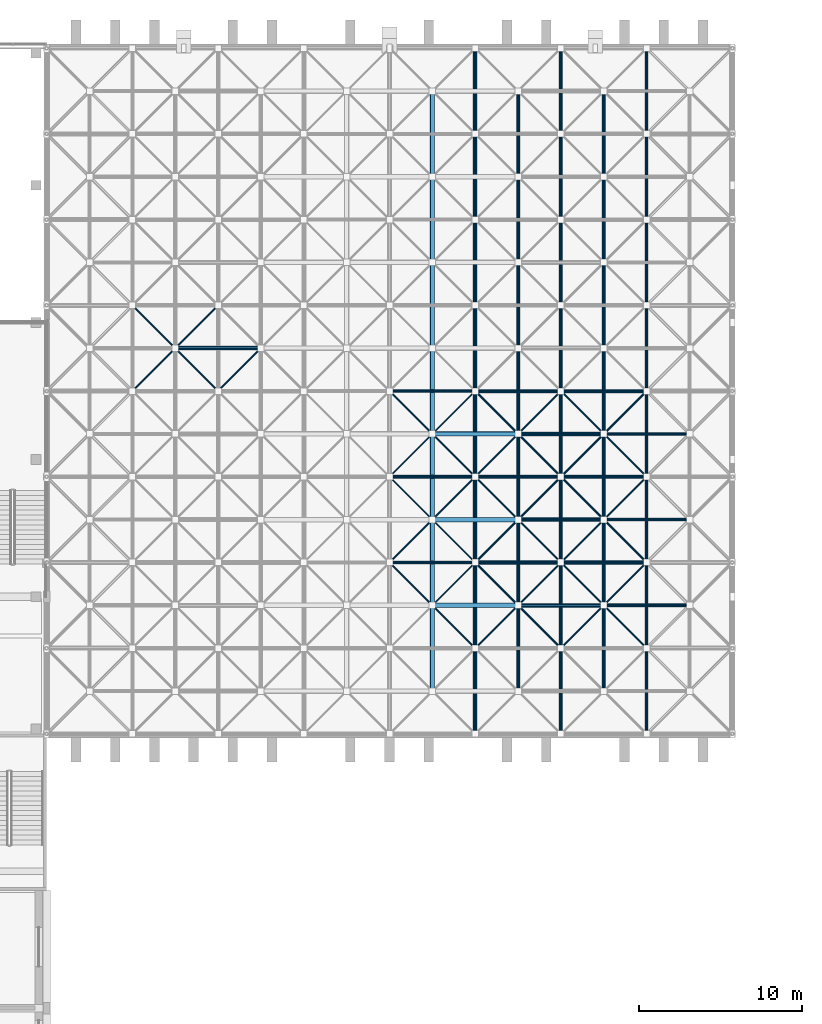
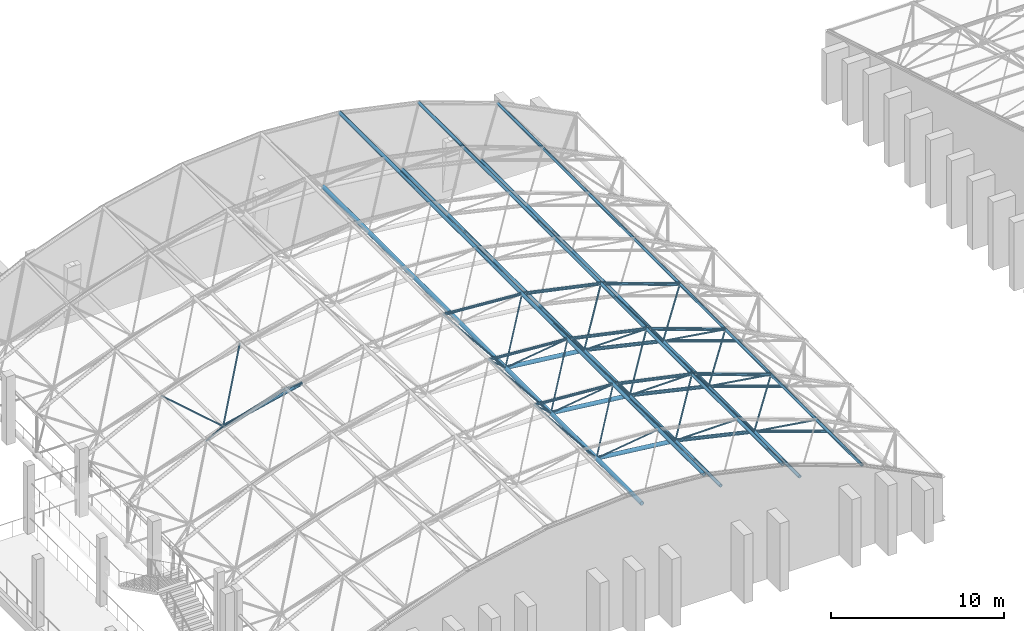
# One storey, part 18 of 100: 65 members.
"""IFC4 building model written with IfcOpenShell, lengths in metres."""

from ifc_helpers import new_model, si_unit, direction, frame, origin, origin_2d, place, context, subcontext, project, spatial, hollow_circle, extrude, material, material_profile, profile_set, type_object, element, save


model = new_model("IFC4")

# Units and contexts
model_context = context("Model", 3, precision=1e-05, world=origin(), true_north=direction((0.0, 1.0)))
body_context = subcontext(model_context, "Body", "Model", "MODEL_VIEW")
ifc_project = project(units=[si_unit("LENGTHUNIT", "METRE"), si_unit("AREAUNIT", "SQUARE_METRE"), si_unit("VOLUMEUNIT", "CUBIC_METRE"), si_unit("PLANEANGLEUNIT", "RADIAN"), si_unit("MASSUNIT", "GRAM", prefix="KILO")], contexts=[model_context])

# Site, building, storey
site_placement = place(None, origin())
site = spatial("IfcSite", under=ifc_project, at=site_placement, CompositionType="ELEMENT")
building_placement = place(site_placement, origin())
building = spatial("IfcBuilding", under=site, at=building_placement, Name="Kiln Court Media Centre", CompositionType="ELEMENT")
storey_placement = place(building_placement, frame((0.0, 0.0, 15.0)))
storey = spatial("IfcBuildingStorey", under=building, at=storey_placement, Name="L03", CompositionType="ELEMENT", Elevation=15.0)

# Members
ifc_material_1 = material(Name="Steel ASTM A500 Gr C", Category="steel")
ifc_material_profile_1 = material_profile(ifc_material_1, hollow_circle(Radius=0.05078125, WallThickness=0.0048828125, at=origin_2d()), Name="CHS 101.6x5.0")
ifc_profile_set_1 = profile_set([ifc_material_profile_1], Name="Steel ASTM A500 Gr C")
member_type_1 = type_object("IfcMemberType", Name="Steel ASTM A500 Gr C CHS 101.6x5.0 space frame brace", PredefinedType="BRACE", material=ifc_profile_set_1)
member_1_placement = place(storey_placement, frame((82.425048828125, 33.074951171875, 5.926513671875), z_axis=(0.571963592053, -0.571963592053, 0.587975593653), x_axis=(0.707106781187, 0.707106781187, 0.0)))
element("IfcMember", 1, at=member_1_placement, inside=storey, type_object=member_type_1, Name="V1 roof diagonal 5-2 space frame brace", PredefinedType="BRACE", context=body_context, shape_type="SweptSolid", body=[
    extrude(hollow_circle(Radius=0.05078125, WallThickness=0.0048828125, at=origin_2d()), origin(), (0.0, 0.0, 1.0), 4.58935546875),
])
member_2_placement = place(storey_placement, frame((82.425048828125, 33.074951171875, 5.926513671875), z_axis=(-0.544662450541, 0.544662450541, 0.637719083878), x_axis=(-0.707106781187, -0.707106781187, 0.0)))
element("IfcMember", 2, at=member_2_placement, inside=storey, type_object=member_type_1, Name="V1 roof diagonal 5-2 space frame brace", PredefinedType="BRACE", context=body_context, shape_type="SweptSolid", body=[
    extrude(hollow_circle(Radius=0.05078125, WallThickness=0.0048828125, at=origin_2d()), origin(), (0.0, 0.0, 1.0), 4.819580078125),
])
member_3_placement = place(storey_placement, frame((82.425048828125, 33.074951171875, 5.926513671875), z_axis=(0.571963592053, 0.571963592053, 0.587975593653), x_axis=(-0.707106781187, 0.707106781187, 0.0)))
element("IfcMember", 3, at=member_3_placement, inside=storey, type_object=member_type_1, Name="V1 roof diagonal 5-2 space frame brace", PredefinedType="BRACE", context=body_context, shape_type="SweptSolid", body=[
    extrude(hollow_circle(Radius=0.05078125, WallThickness=0.0048828125, at=origin_2d()), origin(), (0.0, 0.0, 1.0), 4.58935546875),
])
member_4_placement = place(storey_placement, frame((82.425048828125, 38.324951171875, 5.926513671875), z_axis=(-0.544662450541, -0.544662450541, 0.637719083878), x_axis=(0.707106781187, -0.707106781187, 0.0)))
element("IfcMember", 4, at=member_4_placement, inside=storey, type_object=member_type_1, Name="V1 roof diagonal 5-3 space frame brace", PredefinedType="BRACE", context=body_context, shape_type="SweptSolid", body=[
    extrude(hollow_circle(Radius=0.05078125, WallThickness=0.0048828125, at=origin_2d()), origin(), (0.0, 0.0, 1.0), 4.819580078125),
])
member_5_placement = place(storey_placement, frame((82.425048828125, 38.324951171875, 5.926513671875), z_axis=(0.571963592053, -0.571963592053, 0.587975593653), x_axis=(0.707106781187, 0.707106781187, 0.0)))
element("IfcMember", 5, at=member_5_placement, inside=storey, type_object=member_type_1, Name="V1 roof diagonal 5-3 space frame brace", PredefinedType="BRACE", context=body_context, shape_type="SweptSolid", body=[
    extrude(hollow_circle(Radius=0.05078125, WallThickness=0.0048828125, at=origin_2d()), origin(), (0.0, 0.0, 1.0), 4.58935546875),
])
member_6_placement = place(storey_placement, frame((82.425048828125, 38.324951171875, 5.926513671875), z_axis=(-0.544662450541, 0.544662450541, 0.637719083878), x_axis=(-0.707106781187, -0.707106781187, 0.0)))
element("IfcMember", 6, at=member_6_placement, inside=storey, type_object=member_type_1, Name="V1 roof diagonal 5-3 space frame brace", PredefinedType="BRACE", context=body_context, shape_type="SweptSolid", body=[
    extrude(hollow_circle(Radius=0.05078125, WallThickness=0.0048828125, at=origin_2d()), origin(), (0.0, 0.0, 1.0), 4.819580078125),
])
member_7_placement = place(storey_placement, frame((82.425048828125, 38.324951171875, 5.926513671875), z_axis=(0.571963592053, 0.571963592053, 0.587975593653), x_axis=(-0.707106781187, 0.707106781187, 0.0)))
element("IfcMember", 7, at=member_7_placement, inside=storey, type_object=member_type_1, Name="V1 roof diagonal 5-3 space frame brace", PredefinedType="BRACE", context=body_context, shape_type="SweptSolid", body=[
    extrude(hollow_circle(Radius=0.05078125, WallThickness=0.0048828125, at=origin_2d()), origin(), (0.0, 0.0, 1.0), 4.58935546875),
])
member_8_placement = place(storey_placement, frame((82.425048828125, 43.574951171875, 5.926513671875), z_axis=(-0.544662450541, -0.544662450541, 0.637719083878), x_axis=(0.707106781187, -0.707106781187, 0.0)))
element("IfcMember", 8, at=member_8_placement, inside=storey, type_object=member_type_1, Name="V1 roof diagonal 5-4 space frame brace", PredefinedType="BRACE", context=body_context, shape_type="SweptSolid", body=[
    extrude(hollow_circle(Radius=0.05078125, WallThickness=0.0048828125, at=origin_2d()), origin(), (0.0, 0.0, 1.0), 4.819580078125),
])
member_9_placement = place(storey_placement, frame((82.425048828125, 43.574951171875, 5.926513671875), z_axis=(0.571963592053, -0.571963592053, 0.587975593653), x_axis=(0.707106781187, 0.707106781187, 0.0)))
element("IfcMember", 9, at=member_9_placement, inside=storey, type_object=member_type_1, Name="V1 roof diagonal 5-4 space frame brace", PredefinedType="BRACE", context=body_context, shape_type="SweptSolid", body=[
    extrude(hollow_circle(Radius=0.05078125, WallThickness=0.0048828125, at=origin_2d()), origin(), (0.0, 0.0, 1.0), 4.58935546875),
])
member_10_placement = place(storey_placement, frame((82.425048828125, 43.574951171875, 5.926513671875), z_axis=(-0.544662450541, 0.544662450541, 0.637719083878), x_axis=(-0.707106781187, -0.707106781187, 0.0)))
element("IfcMember", 10, at=member_10_placement, inside=storey, type_object=member_type_1, Name="V1 roof diagonal 5-4 space frame brace", PredefinedType="BRACE", context=body_context, shape_type="SweptSolid", body=[
    extrude(hollow_circle(Radius=0.05078125, WallThickness=0.0048828125, at=origin_2d()), origin(), (0.0, 0.0, 1.0), 4.819580078125),
])
member_11_placement = place(storey_placement, frame((82.425048828125, 43.574951171875, 5.926513671875), z_axis=(0.571963592053, 0.571963592053, 0.587975593653), x_axis=(-0.707106781187, 0.707106781187, 0.0)))
element("IfcMember", 11, at=member_11_placement, inside=storey, type_object=member_type_1, Name="V1 roof diagonal 5-4 space frame brace", PredefinedType="BRACE", context=body_context, shape_type="SweptSolid", body=[
    extrude(hollow_circle(Radius=0.05078125, WallThickness=0.0048828125, at=origin_2d()), origin(), (0.0, 0.0, 1.0), 4.58935546875),
])
ifc_material_2 = material(Name="Steel ASTM A500 Gr C", Category="steel")
ifc_material_profile_2 = material_profile(ifc_material_2, hollow_circle(Radius=0.05712890625, WallThickness=0.0048828125, at=origin_2d()), Name="CHS 114.3x5.0")
ifc_profile_set_2 = profile_set([ifc_material_profile_2], Name="Steel ASTM A500 Gr C")
member_type_2 = type_object("IfcMemberType", Name="Steel ASTM A500 Gr C CHS 114.3x5.0 space frame brace", PredefinedType="BRACE", material=ifc_profile_set_2)
member_12_placement = place(storey_placement, frame((66.675048828125, 48.824951171875, 4.133544921875), z_axis=(-0.656133377529, -0.656133377529, 0.37279750775), x_axis=(0.707106781187, -0.707106781187, 0.0)))
element("IfcMember", 12, at=member_12_placement, inside=storey, type_object=member_type_2, Name="V1 roof diagonal 2-5 space frame brace", PredefinedType="BRACE", context=body_context, shape_type="SweptSolid", body=[
    extrude(hollow_circle(Radius=0.05712890625, WallThickness=0.0048828125, at=origin_2d()), origin(), (0.0, 0.0, 1.0), 4.000732421875),
])
member_13_placement = place(storey_placement, frame((66.675048828125, 48.824951171875, 4.133544921875), z_axis=(0.523804264708, -0.523804264708, 0.671757534046), x_axis=(0.707106781187, 0.707106781187, 0.0)))
element("IfcMember", 13, at=member_13_placement, inside=storey, type_object=member_type_2, Name="V1 roof diagonal 2-5 space frame brace", PredefinedType="BRACE", context=body_context, shape_type="SweptSolid", body=[
    extrude(hollow_circle(Radius=0.05712890625, WallThickness=0.0048828125, at=origin_2d()), origin(), (0.0, 0.0, 1.0), 5.011474609375),
])
member_14_placement = place(storey_placement, frame((66.675048828125, 48.824951171875, 4.133544921875), z_axis=(-0.656133377529, 0.656133377529, 0.37279750775), x_axis=(-0.707106781187, -0.707106781187, 0.0)))
element("IfcMember", 14, at=member_14_placement, inside=storey, type_object=member_type_2, Name="V1 roof diagonal 2-5 space frame brace", PredefinedType="BRACE", context=body_context, shape_type="SweptSolid", body=[
    extrude(hollow_circle(Radius=0.05712890625, WallThickness=0.0048828125, at=origin_2d()), origin(), (0.0, 0.0, 1.0), 4.000732421875),
])
member_15_placement = place(storey_placement, frame((66.675048828125, 48.824951171875, 4.133544921875), z_axis=(0.523804264708, 0.523804264708, 0.671757534046), x_axis=(-0.707106781187, 0.707106781187, 0.0)))
element("IfcMember", 15, at=member_15_placement, inside=storey, type_object=member_type_2, Name="V1 roof diagonal 2-5 space frame brace", PredefinedType="BRACE", context=body_context, shape_type="SweptSolid", body=[
    extrude(hollow_circle(Radius=0.05712890625, WallThickness=0.0048828125, at=origin_2d()), origin(), (0.0, 0.0, 1.0), 5.011474609375),
])
member_16_placement = place(storey_placement, frame((71.925048828125, 48.824951171875, 5.333984375), z_axis=(-0.61074803366, -0.61074803366, 0.503958012894), x_axis=(0.707106781187, -0.707106781187, 0.0)))
element("IfcMember", 16, at=member_16_placement, inside=storey, type_object=member_type_2, Name="V1 roof diagonal 3-5 space frame brace", PredefinedType="BRACE", context=body_context, shape_type="SweptSolid", body=[
    extrude(hollow_circle(Radius=0.05712890625, WallThickness=0.0048828125, at=origin_2d()), origin(), (0.0, 0.0, 1.0), 4.298095703125),
])
member_17_placement = place(storey_placement, frame((87.675048828125, 33.074951171875, 5.333984375), z_axis=(-0.529121679325, -0.529121679325, 0.663370557785), x_axis=(0.707106781187, -0.707106781187, 0.0)))
element("IfcMember", 17, at=member_17_placement, inside=storey, type_object=member_type_2, Name="V1 roof diagonal 6-2 space frame brace", PredefinedType="BRACE", context=body_context, shape_type="SweptSolid", body=[
    extrude(hollow_circle(Radius=0.05712890625, WallThickness=0.0048828125, at=origin_2d()), origin(), (0.0, 0.0, 1.0), 4.9609375),
])
member_18_placement = place(storey_placement, frame((87.675048828125, 33.074951171875, 5.333984375), z_axis=(0.61074803366, -0.61074803366, 0.503958012894), x_axis=(0.707106781187, 0.707106781187, 0.0)))
element("IfcMember", 18, at=member_18_placement, inside=storey, type_object=member_type_2, Name="V1 roof diagonal 6-2 space frame brace", PredefinedType="BRACE", context=body_context, shape_type="SweptSolid", body=[
    extrude(hollow_circle(Radius=0.05712890625, WallThickness=0.0048828125, at=origin_2d()), origin(), (0.0, 0.0, 1.0), 4.298095703125),
])
member_19_placement = place(storey_placement, frame((87.675048828125, 33.074951171875, 5.333984375), z_axis=(-0.529121679325, 0.529121679325, 0.663370557785), x_axis=(-0.707106781187, -0.707106781187, 0.0)))
element("IfcMember", 19, at=member_19_placement, inside=storey, type_object=member_type_2, Name="V1 roof diagonal 6-2 space frame brace", PredefinedType="BRACE", context=body_context, shape_type="SweptSolid", body=[
    extrude(hollow_circle(Radius=0.05712890625, WallThickness=0.0048828125, at=origin_2d()), origin(), (0.0, 0.0, 1.0), 4.9609375),
])
member_20_placement = place(storey_placement, frame((87.675048828125, 33.074951171875, 5.333984375), z_axis=(0.61074803366, 0.61074803366, 0.503958012894), x_axis=(-0.707106781187, 0.707106781187, 0.0)))
element("IfcMember", 20, at=member_20_placement, inside=storey, type_object=member_type_2, Name="V1 roof diagonal 6-2 space frame brace", PredefinedType="BRACE", context=body_context, shape_type="SweptSolid", body=[
    extrude(hollow_circle(Radius=0.05712890625, WallThickness=0.0048828125, at=origin_2d()), origin(), (0.0, 0.0, 1.0), 4.298095703125),
])
member_21_placement = place(storey_placement, frame((87.675048828125, 38.324951171875, 5.333984375), z_axis=(-0.529121679325, -0.529121679325, 0.663370557785), x_axis=(0.707106781187, -0.707106781187, 0.0)))
element("IfcMember", 21, at=member_21_placement, inside=storey, type_object=member_type_2, Name="V1 roof diagonal 6-3 space frame brace", PredefinedType="BRACE", context=body_context, shape_type="SweptSolid", body=[
    extrude(hollow_circle(Radius=0.05712890625, WallThickness=0.0048828125, at=origin_2d()), origin(), (0.0, 0.0, 1.0), 4.9609375),
])
member_22_placement = place(storey_placement, frame((87.675048828125, 38.324951171875, 5.333984375), z_axis=(0.61074803366, -0.61074803366, 0.503958012894), x_axis=(0.707106781187, 0.707106781187, 0.0)))
element("IfcMember", 22, at=member_22_placement, inside=storey, type_object=member_type_2, Name="V1 roof diagonal 6-3 space frame brace", PredefinedType="BRACE", context=body_context, shape_type="SweptSolid", body=[
    extrude(hollow_circle(Radius=0.05712890625, WallThickness=0.0048828125, at=origin_2d()), origin(), (0.0, 0.0, 1.0), 4.298095703125),
])
member_23_placement = place(storey_placement, frame((87.675048828125, 38.324951171875, 5.333984375), z_axis=(-0.529121679325, 0.529121679325, 0.663370557785), x_axis=(-0.707106781187, -0.707106781187, 0.0)))
element("IfcMember", 23, at=member_23_placement, inside=storey, type_object=member_type_2, Name="V1 roof diagonal 6-3 space frame brace", PredefinedType="BRACE", context=body_context, shape_type="SweptSolid", body=[
    extrude(hollow_circle(Radius=0.05712890625, WallThickness=0.0048828125, at=origin_2d()), origin(), (0.0, 0.0, 1.0), 4.9609375),
])
member_24_placement = place(storey_placement, frame((87.675048828125, 38.324951171875, 5.333984375), z_axis=(0.61074803366, 0.61074803366, 0.503958012894), x_axis=(-0.707106781187, 0.707106781187, 0.0)))
element("IfcMember", 24, at=member_24_placement, inside=storey, type_object=member_type_2, Name="V1 roof diagonal 6-3 space frame brace", PredefinedType="BRACE", context=body_context, shape_type="SweptSolid", body=[
    extrude(hollow_circle(Radius=0.05712890625, WallThickness=0.0048828125, at=origin_2d()), origin(), (0.0, 0.0, 1.0), 4.298095703125),
])
member_25_placement = place(storey_placement, frame((87.675048828125, 43.574951171875, 5.333984375), z_axis=(-0.529121679325, -0.529121679325, 0.663370557785), x_axis=(0.707106781187, -0.707106781187, 0.0)))
element("IfcMember", 25, at=member_25_placement, inside=storey, type_object=member_type_2, Name="V1 roof diagonal 6-4 space frame brace", PredefinedType="BRACE", context=body_context, shape_type="SweptSolid", body=[
    extrude(hollow_circle(Radius=0.05712890625, WallThickness=0.0048828125, at=origin_2d()), origin(), (0.0, 0.0, 1.0), 4.9609375),
])
member_26_placement = place(storey_placement, frame((87.675048828125, 43.574951171875, 5.333984375), z_axis=(0.61074803366, -0.61074803366, 0.503958012894), x_axis=(0.707106781187, 0.707106781187, 0.0)))
element("IfcMember", 26, at=member_26_placement, inside=storey, type_object=member_type_2, Name="V1 roof diagonal 6-4 space frame brace", PredefinedType="BRACE", context=body_context, shape_type="SweptSolid", body=[
    extrude(hollow_circle(Radius=0.05712890625, WallThickness=0.0048828125, at=origin_2d()), origin(), (0.0, 0.0, 1.0), 4.298095703125),
])
member_27_placement = place(storey_placement, frame((87.675048828125, 43.574951171875, 5.333984375), z_axis=(-0.529121679325, 0.529121679325, 0.663370557785), x_axis=(-0.707106781187, -0.707106781187, 0.0)))
element("IfcMember", 27, at=member_27_placement, inside=storey, type_object=member_type_2, Name="V1 roof diagonal 6-4 space frame brace", PredefinedType="BRACE", context=body_context, shape_type="SweptSolid", body=[
    extrude(hollow_circle(Radius=0.05712890625, WallThickness=0.0048828125, at=origin_2d()), origin(), (0.0, 0.0, 1.0), 4.9609375),
])
member_28_placement = place(storey_placement, frame((87.675048828125, 43.574951171875, 5.333984375), z_axis=(0.61074803366, 0.61074803366, 0.503958012894), x_axis=(-0.707106781187, 0.707106781187, 0.0)))
element("IfcMember", 28, at=member_28_placement, inside=storey, type_object=member_type_2, Name="V1 roof diagonal 6-4 space frame brace", PredefinedType="BRACE", context=body_context, shape_type="SweptSolid", body=[
    extrude(hollow_circle(Radius=0.05712890625, WallThickness=0.0048828125, at=origin_2d()), origin(), (0.0, 0.0, 1.0), 4.298095703125),
])
member_29_placement = place(storey_placement, frame((92.925048828125, 33.074951171875, 4.133544921875), z_axis=(-0.523804264708, -0.523804264708, 0.671757534046), x_axis=(0.707106781187, -0.707106781187, 0.0)))
element("IfcMember", 29, at=member_29_placement, inside=storey, type_object=member_type_2, Name="V1 roof diagonal 7-2 space frame brace", PredefinedType="BRACE", context=body_context, shape_type="SweptSolid", body=[
    extrude(hollow_circle(Radius=0.05712890625, WallThickness=0.0048828125, at=origin_2d()), origin(), (0.0, 0.0, 1.0), 5.011474609375),
])
member_30_placement = place(storey_placement, frame((92.925048828125, 33.074951171875, 4.133544921875), z_axis=(0.656133377529, -0.656133377529, 0.37279750775), x_axis=(0.707106781187, 0.707106781187, 0.0)))
element("IfcMember", 30, at=member_30_placement, inside=storey, type_object=member_type_2, Name="V1 roof diagonal 7-2 space frame brace", PredefinedType="BRACE", context=body_context, shape_type="SweptSolid", body=[
    extrude(hollow_circle(Radius=0.05712890625, WallThickness=0.0048828125, at=origin_2d()), origin(), (0.0, 0.0, 1.0), 4.000732421875),
])
member_31_placement = place(storey_placement, frame((92.925048828125, 33.074951171875, 4.133544921875), z_axis=(-0.523804264708, 0.523804264708, 0.671757534046), x_axis=(-0.707106781187, -0.707106781187, 0.0)))
element("IfcMember", 31, at=member_31_placement, inside=storey, type_object=member_type_2, Name="V1 roof diagonal 7-2 space frame brace", PredefinedType="BRACE", context=body_context, shape_type="SweptSolid", body=[
    extrude(hollow_circle(Radius=0.05712890625, WallThickness=0.0048828125, at=origin_2d()), origin(), (0.0, 0.0, 1.0), 5.011474609375),
])
member_32_placement = place(storey_placement, frame((92.925048828125, 33.074951171875, 4.133544921875), z_axis=(0.656133377529, 0.656133377529, 0.37279750775), x_axis=(-0.707106781187, 0.707106781187, 0.0)))
element("IfcMember", 32, at=member_32_placement, inside=storey, type_object=member_type_2, Name="V1 roof diagonal 7-2 space frame brace", PredefinedType="BRACE", context=body_context, shape_type="SweptSolid", body=[
    extrude(hollow_circle(Radius=0.05712890625, WallThickness=0.0048828125, at=origin_2d()), origin(), (0.0, 0.0, 1.0), 4.000732421875),
])
member_33_placement = place(storey_placement, frame((92.925048828125, 38.324951171875, 4.133544921875), z_axis=(-0.523804264708, -0.523804264708, 0.671757534046), x_axis=(0.707106781187, -0.707106781187, 0.0)))
element("IfcMember", 33, at=member_33_placement, inside=storey, type_object=member_type_2, Name="V1 roof diagonal 7-3 space frame brace", PredefinedType="BRACE", context=body_context, shape_type="SweptSolid", body=[
    extrude(hollow_circle(Radius=0.05712890625, WallThickness=0.0048828125, at=origin_2d()), origin(), (0.0, 0.0, 1.0), 5.011474609375),
])
member_34_placement = place(storey_placement, frame((92.925048828125, 38.324951171875, 4.133544921875), z_axis=(0.656133377529, -0.656133377529, 0.37279750775), x_axis=(0.707106781187, 0.707106781187, 0.0)))
element("IfcMember", 34, at=member_34_placement, inside=storey, type_object=member_type_2, Name="V1 roof diagonal 7-3 space frame brace", PredefinedType="BRACE", context=body_context, shape_type="SweptSolid", body=[
    extrude(hollow_circle(Radius=0.05712890625, WallThickness=0.0048828125, at=origin_2d()), origin(), (0.0, 0.0, 1.0), 4.000732421875),
])
member_35_placement = place(storey_placement, frame((92.925048828125, 38.324951171875, 4.133544921875), z_axis=(-0.523804264708, 0.523804264708, 0.671757534046), x_axis=(-0.707106781187, -0.707106781187, 0.0)))
element("IfcMember", 35, at=member_35_placement, inside=storey, type_object=member_type_2, Name="V1 roof diagonal 7-3 space frame brace", PredefinedType="BRACE", context=body_context, shape_type="SweptSolid", body=[
    extrude(hollow_circle(Radius=0.05712890625, WallThickness=0.0048828125, at=origin_2d()), origin(), (0.0, 0.0, 1.0), 5.011474609375),
])
member_36_placement = place(storey_placement, frame((92.925048828125, 38.324951171875, 4.133544921875), z_axis=(0.656133377529, 0.656133377529, 0.37279750775), x_axis=(-0.707106781187, 0.707106781187, 0.0)))
element("IfcMember", 36, at=member_36_placement, inside=storey, type_object=member_type_2, Name="V1 roof diagonal 7-3 space frame brace", PredefinedType="BRACE", context=body_context, shape_type="SweptSolid", body=[
    extrude(hollow_circle(Radius=0.05712890625, WallThickness=0.0048828125, at=origin_2d()), origin(), (0.0, 0.0, 1.0), 4.000732421875),
])
member_37_placement = place(storey_placement, frame((92.925048828125, 43.574951171875, 4.133544921875), z_axis=(-0.523804264708, -0.523804264708, 0.671757534046), x_axis=(0.707106781187, -0.707106781187, 0.0)))
element("IfcMember", 37, at=member_37_placement, inside=storey, type_object=member_type_2, Name="V1 roof diagonal 7-4 space frame brace", PredefinedType="BRACE", context=body_context, shape_type="SweptSolid", body=[
    extrude(hollow_circle(Radius=0.05712890625, WallThickness=0.0048828125, at=origin_2d()), origin(), (0.0, 0.0, 1.0), 5.011474609375),
])
member_38_placement = place(storey_placement, frame((92.925048828125, 43.574951171875, 4.133544921875), z_axis=(0.656133377529, -0.656133377529, 0.37279750775), x_axis=(0.707106781187, 0.707106781187, 0.0)))
element("IfcMember", 38, at=member_38_placement, inside=storey, type_object=member_type_2, Name="V1 roof diagonal 7-4 space frame brace", PredefinedType="BRACE", context=body_context, shape_type="SweptSolid", body=[
    extrude(hollow_circle(Radius=0.05712890625, WallThickness=0.0048828125, at=origin_2d()), origin(), (0.0, 0.0, 1.0), 4.000732421875),
])
member_39_placement = place(storey_placement, frame((92.925048828125, 43.574951171875, 4.133544921875), z_axis=(-0.523804264708, 0.523804264708, 0.671757534046), x_axis=(-0.707106781187, -0.707106781187, 0.0)))
element("IfcMember", 39, at=member_39_placement, inside=storey, type_object=member_type_2, Name="V1 roof diagonal 7-4 space frame brace", PredefinedType="BRACE", context=body_context, shape_type="SweptSolid", body=[
    extrude(hollow_circle(Radius=0.05712890625, WallThickness=0.0048828125, at=origin_2d()), origin(), (0.0, 0.0, 1.0), 5.011474609375),
])
member_40_placement = place(storey_placement, frame((92.925048828125, 43.574951171875, 4.133544921875), z_axis=(0.656133377529, 0.656133377529, 0.37279750775), x_axis=(-0.707106781187, 0.707106781187, 0.0)))
element("IfcMember", 40, at=member_40_placement, inside=storey, type_object=member_type_2, Name="V1 roof diagonal 7-4 space frame brace", PredefinedType="BRACE", context=body_context, shape_type="SweptSolid", body=[
    extrude(hollow_circle(Radius=0.05712890625, WallThickness=0.0048828125, at=origin_2d()), origin(), (0.0, 0.0, 1.0), 4.000732421875),
])
ifc_material_3 = material(Name="Steel ASTM A500 Gr C", Category="steel")
ifc_material_profile_3 = material_profile(ifc_material_3, hollow_circle(Radius=0.096923828125, WallThickness=0.008056640625, at=origin_2d()), Name="CHS 193.7x8.0")
ifc_profile_set_3 = profile_set([ifc_material_profile_3], Name="Steel ASTM A500 Gr C")
member_type_3 = type_object("IfcMemberType", Name="Steel ASTM A500 Gr C CHS 193.7x8.0 space frame chord", PredefinedType="CHORD", material=ifc_profile_set_3)
member_41_placement = place(storey_placement, frame((95.550048828125, 25.199951171875, 5.625), z_axis=(0.0, 1.0, 0.0), x_axis=(-1.0, 0.0, 0.0)))
element("IfcMember", 41, at=member_41_placement, inside=storey, type_object=member_type_3, Name="V1 roof top chord along line 8 space frame chord", PredefinedType="CHORD", context=body_context, shape_type="SweptSolid", body=[
    extrude(hollow_circle(Radius=0.096923828125, WallThickness=0.008056640625, at=origin_2d()), origin(), (0.0, 0.0, 1.0), 42.0),
])
for number, where, z_axis, x_axis, name in (
    (42, (79.800048828125, 35.699951171875, 9.0), (0.997458699831, 0.0, -0.071247049988), (0.0, 1.0, 0.0), "V1 roof top chord across line 3 space frame chord"),
    (43, (79.800048828125, 40.949951171875, 9.0), (0.997458699831, 0.0, -0.071247049988), (0.0, 1.0, 0.0), "V1 roof top chord across line 4 space frame chord"),
    (44, (79.800048828125, 46.199951171875, 9.0), (0.997458699831, 0.0, -0.071247049988), (0.0, 1.0, 0.0), "V1 roof top chord across line 5 space frame chord"),
):
    element("IfcMember", number, at=place(storey_placement, frame(where, z_axis=z_axis, x_axis=x_axis)), inside=storey, type_object=member_type_3, Name=name, PredefinedType="CHORD", context=body_context, shape_type="SweptSolid", body=[
        extrude(hollow_circle(Radius=0.096923828125, WallThickness=0.008056640625, at=origin_2d()), origin(), (0.0, 0.0, 1.0), 5.263427734375),
    ])
for number, where, z_axis, x_axis, name in (
    (45, (92.925048828125, 33.074951171875, 4.133544921875), (0.943959597571, 0.0, -0.330061021863), (0.0, 1.0, 0.0), "V1 roof bottom chord across line 2 space frame chord"),
    (46, (92.925048828125, 38.324951171875, 4.133544921875), (0.943959597571, 0.0, -0.330061021863), (0.0, 1.0, 0.0), "V1 roof bottom chord across line 3 space frame chord"),
    (47, (92.925048828125, 43.574951171875, 4.133544921875), (0.943959597571, 0.0, -0.330061021863), (0.0, 1.0, 0.0), "V1 roof bottom chord across line 4 space frame chord"),
):
    element("IfcMember", number, at=place(storey_placement, frame(where, z_axis=z_axis, x_axis=x_axis)), inside=storey, type_object=member_type_3, Name=name, PredefinedType="CHORD", context=body_context, shape_type="SweptSolid", body=[
        extrude(hollow_circle(Radius=0.096923828125, WallThickness=0.008056640625, at=origin_2d()), origin(), (0.0, 0.0, 1.0), 5.561767578125),
    ])
ifc_material_4 = material(Name="Steel ASTM A500 Gr C", Category="steel")
ifc_material_profile_4 = material_profile(ifc_material_4, hollow_circle(Radius=0.109619140625, WallThickness=0.008056640625, at=origin_2d()), Name="CHS 219.1x8.0")
ifc_profile_set_4 = profile_set([ifc_material_profile_4], Name="Steel ASTM A500 Gr C")
member_type_4 = type_object("IfcMemberType", Name="Steel ASTM A500 Gr C CHS 219.1x8.0 space frame chord", PredefinedType="CHORD", material=ifc_profile_set_4)
member_42_placement = place(storey_placement, frame((90.300048828125, 25.199951171875, 7.5), z_axis=(0.0, 1.0, 0.0), x_axis=(-1.0, 0.0, 0.0)))
element("IfcMember", 48, at=member_42_placement, inside=storey, type_object=member_type_4, Name="V1 roof top chord along line 7 space frame chord", PredefinedType="CHORD", context=body_context, shape_type="SweptSolid", body=[
    extrude(hollow_circle(Radius=0.109619140625, WallThickness=0.008056640625, at=origin_2d()), origin(), (0.0, 0.0, 1.0), 42.0),
])
member_43_placement = place(storey_placement, frame((85.050048828125, 35.699951171875, 8.625), z_axis=(0.977802414077, 0.0, -0.209529088731), x_axis=(0.0, 1.0, 0.0)))
element("IfcMember", 49, at=member_43_placement, inside=storey, type_object=member_type_4, Name="V1 roof top chord across line 3 space frame chord", PredefinedType="CHORD", context=body_context, shape_type="SweptSolid", body=[
    extrude(hollow_circle(Radius=0.109619140625, WallThickness=0.008056640625, at=origin_2d()), origin(), (0.0, 0.0, 1.0), 5.369140625),
])
member_44_placement = place(storey_placement, frame((90.300048828125, 35.699951171875, 7.5), z_axis=(0.941741911595, 0.0, -0.336336396998), x_axis=(0.0, 1.0, 0.0)))
element("IfcMember", 50, at=member_44_placement, inside=storey, type_object=member_type_4, Name="V1 roof top chord across line 3 space frame chord", PredefinedType="CHORD", context=body_context, shape_type="SweptSolid", body=[
    extrude(hollow_circle(Radius=0.109619140625, WallThickness=0.008056640625, at=origin_2d()), origin(), (0.0, 0.0, 1.0), 5.57470703125),
])
member_45_placement = place(storey_placement, frame((85.050048828125, 40.949951171875, 8.625), z_axis=(0.977802414077, 0.0, -0.209529088731), x_axis=(0.0, 1.0, 0.0)))
element("IfcMember", 51, at=member_45_placement, inside=storey, type_object=member_type_4, Name="V1 roof top chord across line 4 space frame chord", PredefinedType="CHORD", context=body_context, shape_type="SweptSolid", body=[
    extrude(hollow_circle(Radius=0.109619140625, WallThickness=0.008056640625, at=origin_2d()), origin(), (0.0, 0.0, 1.0), 5.369140625),
])
member_46_placement = place(storey_placement, frame((90.300048828125, 40.949951171875, 7.5), z_axis=(0.941741911595, 0.0, -0.336336396998), x_axis=(0.0, 1.0, 0.0)))
element("IfcMember", 52, at=member_46_placement, inside=storey, type_object=member_type_4, Name="V1 roof top chord across line 4 space frame chord", PredefinedType="CHORD", context=body_context, shape_type="SweptSolid", body=[
    extrude(hollow_circle(Radius=0.109619140625, WallThickness=0.008056640625, at=origin_2d()), origin(), (0.0, 0.0, 1.0), 5.57470703125),
])
member_47_placement = place(storey_placement, frame((85.050048828125, 46.199951171875, 8.625), z_axis=(0.977802414077, 0.0, -0.209529088731), x_axis=(0.0, 1.0, 0.0)))
element("IfcMember", 53, at=member_47_placement, inside=storey, type_object=member_type_4, Name="V1 roof top chord across line 5 space frame chord", PredefinedType="CHORD", context=body_context, shape_type="SweptSolid", body=[
    extrude(hollow_circle(Radius=0.109619140625, WallThickness=0.008056640625, at=origin_2d()), origin(), (0.0, 0.0, 1.0), 5.369140625),
])
member_48_placement = place(storey_placement, frame((90.300048828125, 46.199951171875, 7.5), z_axis=(0.941741911595, 0.0, -0.336336396998), x_axis=(0.0, 1.0, 0.0)))
element("IfcMember", 54, at=member_48_placement, inside=storey, type_object=member_type_4, Name="V1 roof top chord across line 5 space frame chord", PredefinedType="CHORD", context=body_context, shape_type="SweptSolid", body=[
    extrude(hollow_circle(Radius=0.109619140625, WallThickness=0.008056640625, at=origin_2d()), origin(), (0.0, 0.0, 1.0), 5.57470703125),
])
for number, where, z_axis, x_axis, name in (
    (55, (87.675048828125, 27.824951171875, 5.333984375), (0.0, 1.0, 0.0), (-1.0, 0.0, 0.0), "V1 roof bottom chord along line 6 space frame chord"),
    (56, (92.925048828125, 27.824951171875, 4.133544921875), (0.0, 1.0, 0.0), (-1.0, 0.0, 0.0), "V1 roof bottom chord along line 7 space frame chord"),
):
    element("IfcMember", number, at=place(storey_placement, frame(where, z_axis=z_axis, x_axis=x_axis)), inside=storey, type_object=member_type_4, Name=name, PredefinedType="CHORD", context=body_context, shape_type="SweptSolid", body=[
        extrude(hollow_circle(Radius=0.109619140625, WallThickness=0.008056640625, at=origin_2d()), origin(), (0.0, 0.0, 1.0), 36.75),
    ])
ifc_material_5 = material(Name="Steel ASTM A500 Gr C", Category="steel")
ifc_material_profile_5 = material_profile(ifc_material_5, hollow_circle(Radius=0.122314453125, WallThickness=0.010009765625, at=origin_2d()), Name="CHS 244.5x10.0")
ifc_profile_set_5 = profile_set([ifc_material_profile_5], Name="Steel ASTM A500 Gr C")
member_type_5 = type_object("IfcMemberType", Name="Steel ASTM A500 Gr C CHS 244.5x10.0 space frame chord", PredefinedType="CHORD", material=ifc_profile_set_5)
member_49_placement = place(storey_placement, frame((85.050048828125, 25.199951171875, 8.625), z_axis=(0.0, 1.0, 0.0), x_axis=(-1.0, 0.0, 0.0)))
element("IfcMember", 57, at=member_49_placement, inside=storey, type_object=member_type_5, Name="V1 roof top chord along line 6 space frame chord", PredefinedType="CHORD", context=body_context, shape_type="SweptSolid", body=[
    extrude(hollow_circle(Radius=0.122314453125, WallThickness=0.010009765625, at=origin_2d()), origin(), (0.0, 0.0, 1.0), 42.0),
])
for number, where, z_axis, x_axis, name in (
    (58, (87.675048828125, 33.074951171875, 5.333984375), (0.97484077825, 0.0, -0.22290234871), (0.0, 1.0, 0.0), "V1 roof bottom chord across line 2 space frame chord"),
    (59, (87.675048828125, 38.324951171875, 5.333984375), (0.97484077825, 0.0, -0.22290234871), (0.0, 1.0, 0.0), "V1 roof bottom chord across line 3 space frame chord"),
    (60, (87.675048828125, 43.574951171875, 5.333984375), (0.97484077825, 0.0, -0.22290234871), (0.0, 1.0, 0.0), "V1 roof bottom chord across line 4 space frame chord"),
    (61, (66.675048828125, 48.824951171875, 4.133544921875), (0.97484077825, 0.0, 0.22290234871), (0.0, 1.0, 0.0), "V1 roof bottom chord across line 5 space frame chord"),
):
    element("IfcMember", number, at=place(storey_placement, frame(where, z_axis=z_axis, x_axis=x_axis)), inside=storey, type_object=member_type_5, Name=name, PredefinedType="CHORD", context=body_context, shape_type="SweptSolid", body=[
        extrude(hollow_circle(Radius=0.122314453125, WallThickness=0.010009765625, at=origin_2d()), origin(), (0.0, 0.0, 1.0), 5.385498046875),
    ])
ifc_material_6 = material(Name="Steel ASTM A500 Gr C", Category="steel")
ifc_material_profile_6 = material_profile(ifc_material_6, hollow_circle(Radius=0.136474609375, WallThickness=0.010009765625, at=origin_2d()), Name="CHS 273.0x10.0")
ifc_profile_set_6 = profile_set([ifc_material_profile_6], Name="Steel ASTM A500 Gr C")
member_type_6 = type_object("IfcMemberType", Name="Steel ASTM A500 Gr C CHS 273.0x10.0 space frame chord", PredefinedType="CHORD", material=ifc_profile_set_6)
member_50_placement = place(storey_placement, frame((82.425048828125, 27.824951171875, 5.926513671875), z_axis=(0.0, 1.0, 0.0), x_axis=(-1.0, 0.0, 0.0)))
element("IfcMember", 62, at=member_50_placement, inside=storey, type_object=member_type_6, Name="V1 roof bottom chord along line 5 space frame chord", PredefinedType="CHORD", context=body_context, shape_type="SweptSolid", body=[
    extrude(hollow_circle(Radius=0.136474609375, WallThickness=0.010009765625, at=origin_2d()), origin(), (0.0, 0.0, 1.0), 36.75),
])
for number, where, z_axis, x_axis, name in (
    (63, (82.425048828125, 33.074951171875, 5.926513671875), (0.993691210277, 0.0, -0.112150696026), (0.0, 1.0, 0.0), "V1 roof bottom chord across line 2 space frame chord"),
    (64, (82.425048828125, 38.324951171875, 5.926513671875), (0.993691210277, 0.0, -0.112150696026), (0.0, 1.0, 0.0), "V1 roof bottom chord across line 3 space frame chord"),
    (65, (82.425048828125, 43.574951171875, 5.926513671875), (0.993691210277, 0.0, -0.112150696026), (0.0, 1.0, 0.0), "V1 roof bottom chord across line 4 space frame chord"),
):
    element("IfcMember", number, at=place(storey_placement, frame(where, z_axis=z_axis, x_axis=x_axis)), inside=storey, type_object=member_type_6, Name=name, PredefinedType="CHORD", context=body_context, shape_type="SweptSolid", body=[
        extrude(hollow_circle(Radius=0.136474609375, WallThickness=0.010009765625, at=origin_2d()), origin(), (0.0, 0.0, 1.0), 5.283447265625),
    ])

save(model, "model.ifc")
